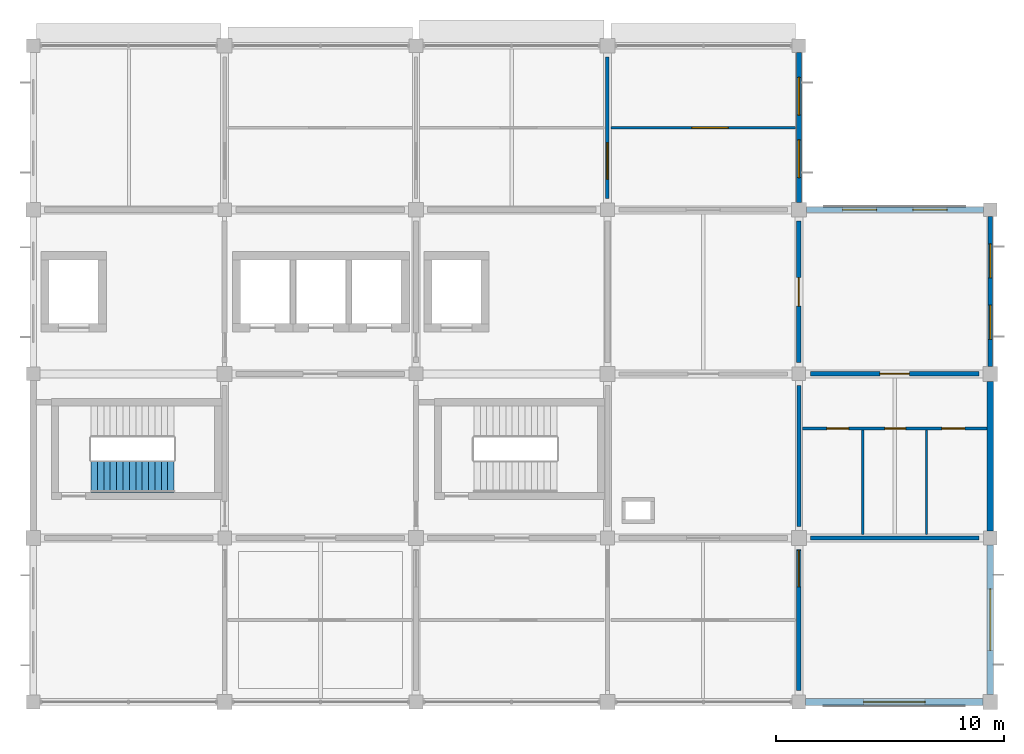
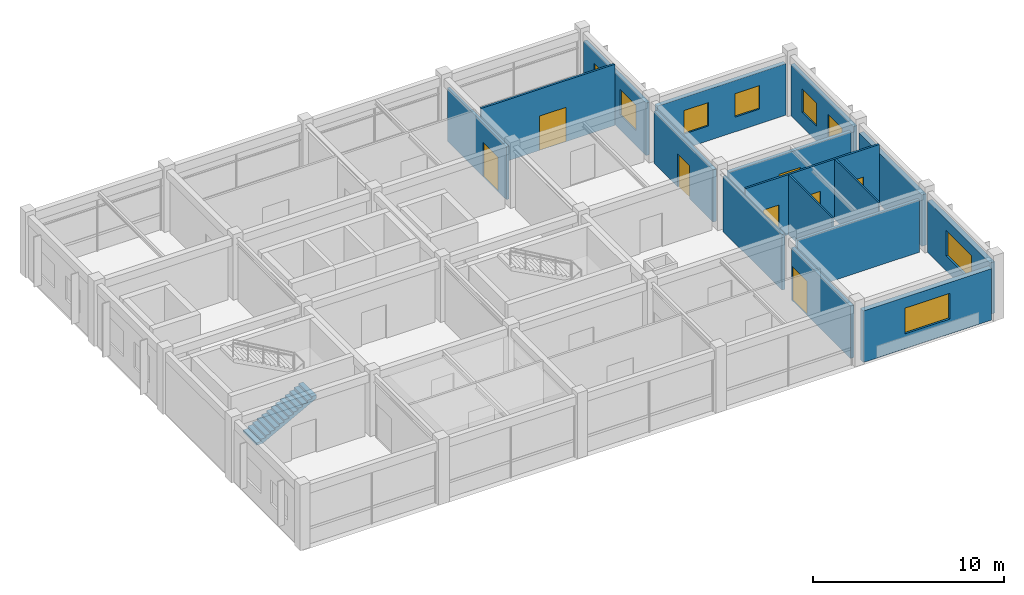
# One storey, part 10 of 13: 16 walls, 8 doors, 8 windows, 1 stair flight, 16 openings, 1 element without a shape of its own.
"""IFC4 building model written with IfcOpenShell, lengths in metres."""

from ifc_helpers import new_model, si_unit, derived_unit, direction, frame, frame_2d, origin, place, context, subcontext, project, spatial, polyline, rectangle, outline, extrude, material, layer, layer_set, type_object, element, fill, aggregate, save


model = new_model("IFC4")

# Units and contexts
model_context = context("Model", 3, precision=1e-05, world=origin(), true_north=direction((0.0, 1.0)))
body_context = subcontext(model_context, "Body", "Model", "MODEL_VIEW")
ifc_project = project(units=[si_unit("LENGTHUNIT", "METRE"), si_unit("AREAUNIT", "SQUARE_METRE"), si_unit("VOLUMEUNIT", "CUBIC_METRE"), si_unit("PLANEANGLEUNIT", "RADIAN"), si_unit("MASSUNIT", "GRAM", prefix="KILO"), derived_unit("THERMALTRANSMITTANCEUNIT", [(si_unit("MASSUNIT", "GRAM", prefix="KILO"), 1), (si_unit("TIMEUNIT", "SECOND"), -3), (si_unit("THERMODYNAMICTEMPERATUREUNIT", "KELVIN"), -1)])], contexts=[model_context])

# Site, building, storey
site_placement = place(None, origin())
site = spatial("IfcSite", under=ifc_project, at=site_placement, CompositionType="ELEMENT")
building_placement = place(site_placement, origin())
building = spatial("IfcBuilding", under=site, at=building_placement, Name="Veldstrom Oceanarium and Marine Research Institute", CompositionType="ELEMENT")
storey_placement = place(building_placement, frame((0.0, 0.0, 56.39990234375)))
storey = spatial("IfcBuildingStorey", under=building, at=storey_placement, Name="L12", CompositionType="ELEMENT", Elevation=56.39990234375)

# Wall, opening, window
ifc_material_1 = material(Name="Masonry Cavity Wall", Category="masonry")
ifc_layer_1 = layer(ifc_material_1, 0.31005859375)
ifc_layer_set_1 = layer_set([ifc_layer_1], Name="ARC-WAL-EW1")
wall_type_1 = type_object("IfcWallType", Name="ARC-WAL-EW1", PredefinedType="SOLIDWALL", material=ifc_layer_set_1)
wall_1_placement = place(storey_placement, frame((109.5, 43.199951171875, 0.0), z_axis=(0.0, 0.0, 1.0), x_axis=(1.0, 0.0, 0.0)))
wall_1 = element("IfcWall", 1, at=wall_1_placement, inside=storey, type_object=wall_type_1, Name="Exterior Facade Wall EW1 L12-246", PredefinedType="SOLIDWALL", context=body_context, shape_type="SweptSolid", body=[
    extrude(rectangle(XDim=7.77490234375, YDim=0.31005859375, at=frame_2d((3.887451171875, 0.0))), origin(), (0.0, 0.0, 1.0), 3.295166015625),
])
opening_1_placement = place(wall_1_placement, frame((2.53759765625, 0.0, 0.949951171875)))
opening_1 = element("IfcOpeningElement", 2, at=opening_1_placement, cuts=wall_1, Name="Opening W25", PredefinedType="OPENING", context=body_context, shape_type="SweptSolid", body=[
    extrude(rectangle(XDim=2.699951171875, YDim=1.64990234375, at=frame_2d((1.35009765625, 0.824951171875))), frame((0.0, 0.1650390625, 0.0), z_axis=(0.0, -1.0, 0.0), x_axis=(1.0, 0.0, 0.0)), (0.0, 0.0, 1.0), 0.330078125),
])
ifc_material_2 = material(Name="Double Glazed Low-E IGU", Category="glass")
window_type_1 = type_object("IfcWindowType", Name="ARC-WIN-W25", PartitioningType="SINGLE_PANEL", PredefinedType="WINDOW", material=ifc_material_2)
window_1_placement = place(opening_1_placement, origin())
window_1 = element("IfcWindow", 3, at=window_1_placement, inside=storey, type_object=window_type_1, Name="Facade Window W25 L12-0233", OverallHeight=1.64990234375, OverallWidth=2.699951171875, PartitioningType="SINGLE_PANEL", PredefinedType="WINDOW", context=body_context, shape_type="SweptSolid", body=[
    extrude(rectangle(XDim=2.699951171875, YDim=1.64990234375, at=frame_2d((1.35009765625, 0.824951171875))), frame((0.0, 0.030029296875, 0.0), z_axis=(0.0, -1.0, 0.0), x_axis=(1.0, 0.0, 0.0)), (0.0, 0.0, 1.0), 0.06005859375),
])
fill(opening_1, window_1)

ifc_material_3 = material(Name="Masonry Cavity Wall", Category="masonry")
ifc_layer_2 = layer(ifc_material_3, 0.2900390625)
ifc_layer_set_2 = layer_set([ifc_layer_2], Name="ARC-WAL-EW2")
wall_type_2 = type_object("IfcWallType", Name="ARC-WAL-EW2", PredefinedType="SOLIDWALL", material=ifc_layer_set_2)
wall_2_placement = place(storey_placement, frame((117.60009765625, 43.52490234375, 0.0), z_axis=(0.0, 0.0, 1.0), x_axis=(0.0, 1.0, 0.0)))
wall_2 = element("IfcWall", 4, at=wall_2_placement, inside=storey, type_object=wall_type_2, Name="Exterior Facade Wall EW2 L12-247", PredefinedType="SOLIDWALL", context=body_context, shape_type="SweptSolid", body=[
    extrude(rectangle(XDim=6.5751953125, YDim=0.2900390625, at=frame_2d((3.28759765625, 0.0))), origin(), (0.0, 0.0, 1.0), 3.295166015625),
])
opening_2_placement = place(wall_2_placement, frame((1.9375, 0.0, 0.949951171875)))
opening_2 = element("IfcOpeningElement", 5, at=opening_2_placement, cuts=wall_2, Name="Opening W25", PredefinedType="OPENING", context=body_context, shape_type="SweptSolid", body=[
    extrude(rectangle(XDim=2.699951171875, YDim=1.64990234375, at=frame_2d((1.35009765625, 0.824951171875))), frame((0.0, 0.155029296875, 0.0), z_axis=(0.0, -1.0, 0.0), x_axis=(1.0, 0.0, 0.0)), (0.0, 0.0, 1.0), 0.31005859375),
])
window_2_placement = place(opening_2_placement, origin())
window_2 = element("IfcWindow", 6, at=window_2_placement, inside=storey, type_object=window_type_1, Name="Facade Window W25 L12-0234", OverallHeight=1.64990234375, OverallWidth=2.699951171875, PartitioningType="SINGLE_PANEL", PredefinedType="WINDOW", context=body_context, shape_type="SweptSolid", body=[
    extrude(rectangle(XDim=2.699951171875, YDim=1.64990234375, at=frame_2d((1.35009765625, 0.824951171875))), frame((0.0, 0.030029296875, 0.0), z_axis=(0.0, -1.0, 0.0), x_axis=(1.0, 0.0, 0.0)), (0.0, 0.0, 1.0), 0.06005859375),
])
fill(opening_2, window_2)

# Wall
ifc_material_4 = material(Name="Masonry Cavity Wall", Category="masonry")
ifc_layer_3 = layer(ifc_material_4, 0.27001953125)
ifc_layer_set_3 = layer_set([ifc_layer_3], Name="ARC-WAL-EW3")
wall_type_3 = type_object("IfcWallType", Name="ARC-WAL-EW3", PredefinedType="SOLIDWALL", material=ifc_layer_set_3)
wall_3_placement = place(storey_placement, frame((117.60009765625, 50.699951171875, 0.0), z_axis=(0.0, 0.0, 1.0), x_axis=(0.0, 1.0, 0.0)))
element("IfcWall", 7, at=wall_3_placement, inside=storey, type_object=wall_type_3, Name="Exterior Facade Wall EW3 L12-248", PredefinedType="SOLIDWALL", context=body_context, shape_type="SweptSolid", body=[
    extrude(rectangle(XDim=6.574951171875, YDim=0.27001953125, at=frame_2d((3.28759765625, 0.0))), origin(), (0.0, 0.0, 1.0), 3.295166015625),
])

# Wall, openings, windows
ifc_material_5 = material(Name="Masonry Cavity Wall", Category="masonry")
ifc_layer_4 = layer(ifc_material_5, 0.25)
ifc_layer_set_4 = layer_set([ifc_layer_4], Name="ARC-WAL-EW5")
wall_type_4 = type_object("IfcWallType", Name="ARC-WAL-EW5", PredefinedType="SOLIDWALL", material=ifc_layer_set_4)
wall_4_placement = place(storey_placement, frame((109.52490234375, 64.800048828125, 0.0), z_axis=(0.0, 0.0, 1.0), x_axis=(1.0, 0.0, 0.0)))
wall_4 = element("IfcWall", 8, at=wall_4_placement, inside=storey, type_object=wall_type_4, Name="Exterior Facade Wall EW5 L12-249", PredefinedType="SOLIDWALL", context=body_context, shape_type="SweptSolid", body=[
    extrude(rectangle(XDim=7.775146484375, YDim=0.25, at=frame_2d((3.8876953125, 0.0))), origin(), (0.0, 0.0, 1.0), 3.295166015625),
])
opening_3_placement = place(wall_4_placement, frame((1.591796875, 0.0, 0.949951171875)))
opening_3 = element("IfcOpeningElement", 9, at=opening_3_placement, cuts=wall_4, Name="Opening W15", PredefinedType="OPENING", context=body_context, shape_type="SweptSolid", body=[
    extrude(rectangle(XDim=1.5, YDim=1.5, at=frame_2d((0.75, 0.75))), frame((0.0, 0.135009765625, 0.0), z_axis=(0.0, -1.0, 0.0), x_axis=(1.0, 0.0, 0.0)), (0.0, 0.0, 1.0), 0.27001953125),
])
opening_4_placement = place(wall_4_placement, frame((4.683349609375, 0.0, 0.949951171875)))
opening_4 = element("IfcOpeningElement", 10, at=opening_4_placement, cuts=wall_4, Name="Opening W15", PredefinedType="OPENING", context=body_context, shape_type="SweptSolid", body=[
    extrude(rectangle(XDim=1.5, YDim=1.5, at=frame_2d((0.75, 0.75))), frame((0.0, 0.135009765625, 0.0), z_axis=(0.0, -1.0, 0.0), x_axis=(1.0, 0.0, 0.0)), (0.0, 0.0, 1.0), 0.27001953125),
])
ifc_material_6 = material(Name="Double Glazed Low-E IGU", Category="glass")
window_type_2 = type_object("IfcWindowType", Name="ARC-WIN-W15", PartitioningType="SINGLE_PANEL", PredefinedType="WINDOW", material=ifc_material_6)
window_3_placement = place(opening_3_placement, origin())
window_3 = element("IfcWindow", 11, at=window_3_placement, inside=storey, type_object=window_type_2, Name="Facade Window W15 L12-0235", OverallHeight=1.5, OverallWidth=1.5, PartitioningType="SINGLE_PANEL", PredefinedType="WINDOW", context=body_context, shape_type="SweptSolid", body=[
    extrude(rectangle(XDim=1.5, YDim=1.5, at=frame_2d((0.75, 0.75))), frame((0.0, 0.030029296875, 0.0), z_axis=(0.0, -1.0, 0.0), x_axis=(1.0, 0.0, 0.0)), (0.0, 0.0, 1.0), 0.06005859375),
])
fill(opening_3, window_3)
window_4_placement = place(opening_4_placement, origin())
window_4 = element("IfcWindow", 12, at=window_4_placement, inside=storey, type_object=window_type_2, Name="Facade Window W15 L12-0236", OverallHeight=1.5, OverallWidth=1.5, PartitioningType="SINGLE_PANEL", PredefinedType="WINDOW", context=body_context, shape_type="SweptSolid", body=[
    extrude(rectangle(XDim=1.5, YDim=1.5, at=frame_2d((0.75, 0.75))), frame((0.0, 0.030029296875, 0.0), z_axis=(0.0, -1.0, 0.0), x_axis=(1.0, 0.0, 0.0)), (0.0, 0.0, 1.0), 0.06005859375),
])
fill(opening_4, window_4)

ifc_material_7 = material(Name="Masonry Cavity Wall", Category="masonry")
ifc_layer_5 = layer(ifc_material_7, 0.215087890625)
ifc_layer_set_5 = layer_set([ifc_layer_5], Name="ARC-WAL-EW6")
wall_type_5 = type_object("IfcWallType", Name="ARC-WAL-EW6", PredefinedType="SOLIDWALL", material=ifc_layer_set_5)
wall_5_placement = place(storey_placement, frame((109.199951171875, 65.125, 0.0), z_axis=(0.0, 0.0, 1.0), x_axis=(0.0, 1.0, 0.0)))
wall_5 = element("IfcWall", 13, at=wall_5_placement, inside=storey, type_object=wall_type_5, Name="Exterior Facade Wall EW6 L12-245", PredefinedType="SOLIDWALL", context=body_context, shape_type="SweptSolid", body=[
    extrude(rectangle(XDim=6.574951171875, YDim=0.215087890625, at=frame_2d((3.28759765625, 0.0))), origin(), (0.0, 0.0, 1.0), 3.364990234375),
])
opening_5_placement = place(wall_5_placement, frame((1.091796875, 0.0, 0.949951171875)))
opening_5 = element("IfcOpeningElement", 14, at=opening_5_placement, cuts=wall_5, Name="Opening W23", PredefinedType="OPENING", context=body_context, shape_type="SweptSolid", body=[
    extrude(rectangle(XDim=1.64990234375, YDim=1.64990234375, at=frame_2d((0.824951171875, 0.824951171875))), frame((0.0, 0.117431640625, 0.0), z_axis=(0.0, -1.0, 0.0), x_axis=(1.0, 0.0, 0.0)), (0.0, 0.0, 1.0), 0.235107421875),
])
opening_6_placement = place(wall_5_placement, frame((3.833251953125, 0.0, 0.949951171875)))
opening_6 = element("IfcOpeningElement", 15, at=opening_6_placement, cuts=wall_5, Name="Opening W23", PredefinedType="OPENING", context=body_context, shape_type="SweptSolid", body=[
    extrude(rectangle(XDim=1.64990234375, YDim=1.64990234375, at=frame_2d((0.824951171875, 0.824951171875))), frame((0.0, 0.117431640625, 0.0), z_axis=(0.0, -1.0, 0.0), x_axis=(1.0, 0.0, 0.0)), (0.0, 0.0, 1.0), 0.235107421875),
])
ifc_material_8 = material(Name="Double Glazed Low-E IGU", Category="glass")
window_type_3 = type_object("IfcWindowType", Name="ARC-WIN-W23", PartitioningType="SINGLE_PANEL", PredefinedType="WINDOW", material=ifc_material_8)
window_5_placement = place(opening_5_placement, origin())
window_5 = element("IfcWindow", 16, at=window_5_placement, inside=storey, type_object=window_type_3, Name="Facade Window W23 L12-0231", OverallHeight=1.64990234375, OverallWidth=1.64990234375, PartitioningType="SINGLE_PANEL", PredefinedType="WINDOW", context=body_context, shape_type="SweptSolid", body=[
    extrude(rectangle(XDim=1.64990234375, YDim=1.64990234375, at=frame_2d((0.824951171875, 0.824951171875))), frame((0.0, 0.030029296875, 0.0), z_axis=(0.0, -1.0, 0.0), x_axis=(1.0, 0.0, 0.0)), (0.0, 0.0, 1.0), 0.06005859375),
])
fill(opening_5, window_5)
window_6_placement = place(opening_6_placement, origin())
window_6 = element("IfcWindow", 17, at=window_6_placement, inside=storey, type_object=window_type_3, Name="Facade Window W23 L12-0232", OverallHeight=1.64990234375, OverallWidth=1.64990234375, PartitioningType="SINGLE_PANEL", PredefinedType="WINDOW", context=body_context, shape_type="SweptSolid", body=[
    extrude(rectangle(XDim=1.64990234375, YDim=1.64990234375, at=frame_2d((0.824951171875, 0.824951171875))), frame((0.0, 0.030029296875, 0.0), z_axis=(0.0, -1.0, 0.0), x_axis=(1.0, 0.0, 0.0)), (0.0, 0.0, 1.0), 0.06005859375),
])
fill(opening_6, window_6)

wall_6_placement = place(storey_placement, frame((117.60009765625, 57.925048828125, 0.0), z_axis=(0.0, 0.0, 1.0), x_axis=(0.0, 1.0, 0.0)))
wall_6 = element("IfcWall", 18, at=wall_6_placement, inside=storey, type_object=wall_type_5, Name="Exterior Facade Wall EW6 L12-250", PredefinedType="SOLIDWALL", context=body_context, shape_type="SweptSolid", body=[
    extrude(rectangle(XDim=6.574951171875, YDim=0.215087890625, at=frame_2d((3.28759765625, 0.0))), origin(), (0.0, 0.0, 1.0), 3.295166015625),
])
opening_7_placement = place(wall_6_placement, frame((1.191650390625, 0.0, 0.949951171875)))
opening_7 = element("IfcOpeningElement", 19, at=opening_7_placement, cuts=wall_6, Name="Opening W15", PredefinedType="OPENING", context=body_context, shape_type="SweptSolid", body=[
    extrude(rectangle(XDim=1.5, YDim=1.5, at=frame_2d((0.75, 0.75))), frame((0.0, 0.117431640625, 0.0), z_axis=(0.0, -1.0, 0.0), x_axis=(1.0, 0.0, 0.0)), (0.0, 0.0, 1.0), 0.235107421875),
])
opening_8_placement = place(wall_6_placement, frame((3.88330078125, 0.0, 0.949951171875)))
opening_8 = element("IfcOpeningElement", 20, at=opening_8_placement, cuts=wall_6, Name="Opening W15", PredefinedType="OPENING", context=body_context, shape_type="SweptSolid", body=[
    extrude(rectangle(XDim=1.5, YDim=1.5, at=frame_2d((0.75, 0.75))), frame((0.0, 0.117431640625, 0.0), z_axis=(0.0, -1.0, 0.0), x_axis=(1.0, 0.0, 0.0)), (0.0, 0.0, 1.0), 0.235107421875),
])
window_7_placement = place(opening_7_placement, origin())
window_7 = element("IfcWindow", 21, at=window_7_placement, inside=storey, type_object=window_type_2, Name="Facade Window W15 L12-0237", OverallHeight=1.5, OverallWidth=1.5, PartitioningType="SINGLE_PANEL", PredefinedType="WINDOW", context=body_context, shape_type="SweptSolid", body=[
    extrude(rectangle(XDim=1.5, YDim=1.5, at=frame_2d((0.75, 0.75))), frame((0.0, 0.030029296875, 0.0), z_axis=(0.0, -1.0, 0.0), x_axis=(1.0, 0.0, 0.0)), (0.0, 0.0, 1.0), 0.06005859375),
])
fill(opening_7, window_7)
window_8_placement = place(opening_8_placement, origin())
window_8 = element("IfcWindow", 22, at=window_8_placement, inside=storey, type_object=window_type_2, Name="Facade Window W15 L12-0238", OverallHeight=1.5, OverallWidth=1.5, PartitioningType="SINGLE_PANEL", PredefinedType="WINDOW", context=body_context, shape_type="SweptSolid", body=[
    extrude(rectangle(XDim=1.5, YDim=1.5, at=frame_2d((0.75, 0.75))), frame((0.0, 0.030029296875, 0.0), z_axis=(0.0, -1.0, 0.0), x_axis=(1.0, 0.0, 0.0)), (0.0, 0.0, 1.0), 0.06005859375),
])
fill(opening_8, window_8)

# Wall, opening, door
ifc_material_9 = material(Name="Gypsum Acoustic Lab Partition", Category="gypsum")
ifc_layer_6 = layer(ifc_material_9, 0.1201171875)
ifc_layer_set_6 = layer_set([ifc_layer_6], Name="ARC-WAL-PT10")
wall_type_6 = type_object("IfcWallType", Name="ARC-WAL-PT10", PredefinedType="PARTITIONING", material=ifc_layer_set_6)
wall_7_placement = place(storey_placement, frame((100.949951171875, 68.39990234375, 0.0), z_axis=(0.0, 0.0, 1.0), x_axis=(1.0, 0.0, 0.0)))
wall_7 = element("IfcWall", 23, at=wall_7_placement, inside=storey, type_object=wall_type_6, Name="Laboratory Suite Partition L12-12/9", PredefinedType="PARTITIONING", context=body_context, shape_type="SweptSolid", body=[
    extrude(rectangle(XDim=8.10009765625, YDim=0.1201171875, at=frame_2d((4.050048828125, 0.0))), origin(), (0.0, 0.0, 1.0), 3.920166015625),
])
opening_9_placement = place(wall_7_placement, frame((3.550048828125, 0.0, 0.0)))
opening_9 = element("IfcOpeningElement", 24, at=opening_9_placement, cuts=wall_7, Name="Opening D-L12-S1051", PredefinedType="OPENING", context=body_context, shape_type="SweptSolid", body=[
    extrude(rectangle(XDim=1.60009765625, YDim=2.199951171875, at=frame_2d((0.800048828125, 1.10009765625))), frame((0.0, 0.070068359375, 0.0), z_axis=(0.0, -1.0, 0.0), x_axis=(1.0, 0.0, 0.0)), (0.0, 0.0, 1.0), 0.14013671875),
])
ifc_material_10 = material(Name="Acoustic Timber Corridor Door", Category="wood")
door_type_1 = type_object("IfcDoorType", Name="ARC-DOR-ID02", OperationType="DOUBLE_DOOR_SINGLE_SWING", PredefinedType="DOOR", material=ifc_material_10)
door_1_placement = place(opening_9_placement, origin())
door_1 = element("IfcDoor", 25, at=door_1_placement, inside=storey, type_object=door_type_1, Name="Suite Interior Door D-L12-S1051", OperationType="SINGLE_SWING_LEFT", OverallHeight=2.199951171875, OverallWidth=1.60009765625, PredefinedType="DOOR", context=body_context, shape_type="SweptSolid", body=[
    extrude(rectangle(XDim=1.60009765625, YDim=2.199951171875, at=frame_2d((0.800048828125, 1.10009765625))), frame((0.0, 0.02490234375, 0.0), z_axis=(0.0, -1.0, 0.0), x_axis=(1.0, 0.0, 0.0)), (0.0, 0.0, 1.0), 0.050048828125),
])
fill(opening_9, door_1)

ifc_material_11 = material(Name="Masonry Acoustic Lab Partition", Category="masonry")
ifc_layer_7 = layer(ifc_material_11, 0.205078125)
ifc_layer_set_7 = layer_set([ifc_layer_7], Name="ARC-WAL-PT2")
wall_type_7 = type_object("IfcWallType", Name="ARC-WAL-PT2", PredefinedType="PARTITIONING", material=ifc_layer_set_7)
wall_8_placement = place(storey_placement, frame((109.199951171875, 43.699951171875, 0.0), z_axis=(0.0, 0.0, 1.0), x_axis=(0.0, 1.0, 0.0)))
wall_8 = element("IfcWall", 26, at=wall_8_placement, inside=storey, type_object=wall_type_7, Name="Interior Partition PT2 L12-1730", PredefinedType="PARTITIONING", context=body_context, shape_type="SweptSolid", body=[
    extrude(rectangle(XDim=6.199951171875, YDim=0.205078125, at=frame_2d((3.10009765625, 0.0))), origin(), (0.0, 0.0, 1.0), 3.34521484375),
])
opening_10_placement = place(wall_8_placement, frame((4.550048828125, 0.0, 0.0)))
opening_10 = element("IfcOpeningElement", 27, at=opening_10_placement, cuts=wall_8, Name="Opening D-L12-1066", PredefinedType="OPENING", context=body_context, shape_type="SweptSolid", body=[
    extrude(rectangle(XDim=1.60009765625, YDim=2.199951171875, at=frame_2d((0.800048828125, 1.10009765625))), frame((0.0, 0.112548828125, 0.0), z_axis=(0.0, -1.0, 0.0), x_axis=(1.0, 0.0, 0.0)), (0.0, 0.0, 1.0), 0.22509765625),
])
door_2_placement = place(opening_10_placement, frame((1.60009765625, 0.0, 0.0), z_axis=(0.0, 0.0, 1.0), x_axis=(-1.0, 0.0, 0.0)))
door_2 = element("IfcDoor", 28, at=door_2_placement, inside=storey, type_object=door_type_1, Name="Interior Door D-L12-1066", OperationType="DOUBLE_DOOR_SINGLE_SWING", OverallHeight=2.199951171875, OverallWidth=1.60009765625, PredefinedType="DOOR", context=body_context, shape_type="SweptSolid", body=[
    extrude(rectangle(XDim=1.60009765625, YDim=2.199951171875, at=frame_2d((0.800048828125, 1.10009765625))), frame((0.0, 0.02490234375, 0.0), z_axis=(0.0, -1.0, 0.0), x_axis=(1.0, 0.0, 0.0)), (0.0, 0.0, 1.0), 0.050048828125),
])
fill(opening_10, door_2)

wall_9_placement = place(storey_placement, frame((109.199951171875, 58.10009765625, 0.0), z_axis=(0.0, 0.0, 1.0), x_axis=(0.0, 1.0, 0.0)))
wall_9 = element("IfcWall", 29, at=wall_9_placement, inside=storey, type_object=wall_type_7, Name="Interior Partition PT2 L12-1734", PredefinedType="PARTITIONING", context=body_context, shape_type="SweptSolid", body=[
    extrude(rectangle(XDim=6.199951171875, YDim=0.205078125, at=frame_2d((3.10009765625, 0.0))), origin(), (0.0, 0.0, 1.0), 3.34521484375),
])
opening_11_placement = place(wall_9_placement, frame((2.47509765625, 0.0, 0.0)))
opening_11 = element("IfcOpeningElement", 30, at=opening_11_placement, cuts=wall_9, Name="Opening D-L12-1069", PredefinedType="OPENING", context=body_context, shape_type="SweptSolid", body=[
    extrude(rectangle(XDim=1.25, YDim=2.10009765625, at=frame_2d((0.625, 1.050048828125))), frame((0.0, 0.112548828125, 0.0), z_axis=(0.0, -1.0, 0.0), x_axis=(1.0, 0.0, 0.0)), (0.0, 0.0, 1.0), 0.22509765625),
])
ifc_material_12 = material(Name="Specimen Prep Door", Category="timber")
door_type_2 = type_object("IfcDoorType", Name="ARC-DOR-ID16", OperationType="SINGLE_SWING_RIGHT", PredefinedType="DOOR", material=ifc_material_12)
door_3_placement = place(opening_11_placement, frame((1.25, 0.0, 0.0), z_axis=(0.0, 0.0, 1.0), x_axis=(-1.0, 0.0, 0.0)))
door_3 = element("IfcDoor", 31, at=door_3_placement, inside=storey, type_object=door_type_2, Name="Interior Door D-L12-1069", OperationType="SINGLE_SWING_RIGHT", OverallHeight=2.10009765625, OverallWidth=1.25, PredefinedType="DOOR", context=body_context, shape_type="SweptSolid", body=[
    extrude(rectangle(XDim=1.25, YDim=2.10009765625, at=frame_2d((0.625, 1.050048828125))), frame((0.0, 0.02490234375, 0.0), z_axis=(0.0, -1.0, 0.0), x_axis=(1.0, 0.0, 0.0)), (0.0, 0.0, 1.0), 0.050048828125),
])
fill(opening_11, door_3)

wall_10_placement = place(storey_placement, frame((109.699951171875, 57.60009765625, 0.0), z_axis=(0.0, 0.0, 1.0), x_axis=(1.0, 0.0, 0.0)))
wall_10 = element("IfcWall", 32, at=wall_10_placement, inside=storey, type_object=wall_type_7, Name="Interior Partition PT2 L12-1737", PredefinedType="PARTITIONING", context=body_context, shape_type="SweptSolid", body=[
    extrude(rectangle(XDim=7.400146484375, YDim=0.205078125, at=frame_2d((3.7001953125, 0.0))), origin(), (0.0, 0.0, 1.0), 3.34521484375),
])
opening_12_placement = place(wall_10_placement, frame((3.050048828125, 0.0, 0.0)))
opening_12 = element("IfcOpeningElement", 33, at=opening_12_placement, cuts=wall_10, Name="Opening D-L12-1071", PredefinedType="OPENING", context=body_context, shape_type="SweptSolid", body=[
    extrude(rectangle(XDim=1.300048828125, YDim=2.14990234375, at=frame_2d((0.64990234375, 1.074951171875))), frame((0.0, 0.112548828125, 0.0), z_axis=(0.0, -1.0, 0.0), x_axis=(1.0, 0.0, 0.0)), (0.0, 0.0, 1.0), 0.22509765625),
])
ifc_material_13 = material(Name="Wet Lab Leaf-and-Half Door", Category="timber")
door_type_3 = type_object("IfcDoorType", Name="ARC-DOR-ID05", OperationType="SINGLE_SWING_LEFT", PredefinedType="DOOR", material=ifc_material_13)
door_4_placement = place(opening_12_placement, frame((1.300048828125, 0.0, 0.0), z_axis=(0.0, 0.0, 1.0), x_axis=(-1.0, 0.0, 0.0)))
door_4 = element("IfcDoor", 34, at=door_4_placement, inside=storey, type_object=door_type_3, Name="Interior Door D-L12-1071", OperationType="SINGLE_SWING_RIGHT", OverallHeight=2.14990234375, OverallWidth=1.300048828125, PredefinedType="DOOR", context=body_context, shape_type="SweptSolid", body=[
    extrude(rectangle(XDim=1.300048828125, YDim=2.14990234375, at=frame_2d((0.64990234375, 1.074951171875))), frame((0.0, 0.02490234375, 0.0), z_axis=(0.0, -1.0, 0.0), x_axis=(1.0, 0.0, 0.0)), (0.0, 0.0, 1.0), 0.050048828125),
])
fill(opening_12, door_4)

# Walls
ifc_material_14 = material(Name="Drywall Acoustic Partition", Category="gypsum")
ifc_layer_8 = layer(ifc_material_14, 0.175048828125)
ifc_layer_set_8 = layer_set([ifc_layer_8], Name="ARC-WAL-PT3")
wall_type_8 = type_object("IfcWallType", Name="ARC-WAL-PT3", PredefinedType="PARTITIONING", material=ifc_layer_set_8)
wall_11_placement = place(storey_placement, frame((109.199951171875, 50.89990234375, 0.0), z_axis=(0.0, 0.0, 1.0), x_axis=(0.0, 1.0, 0.0)))
element("IfcWall", 35, at=wall_11_placement, inside=storey, type_object=wall_type_8, Name="Interior Partition PT3 L12-1732", PredefinedType="PARTITIONING", context=body_context, shape_type="SweptSolid", body=[
    extrude(rectangle(XDim=6.2001953125, YDim=0.175048828125, at=frame_2d((3.10009765625, 0.0))), origin(), (0.0, 0.0, 1.0), 3.55517578125),
])
wall_12_placement = place(storey_placement, frame((109.699951171875, 50.39990234375, 0.0), z_axis=(0.0, 0.0, 1.0), x_axis=(1.0, 0.0, 0.0)))
element("IfcWall", 36, at=wall_12_placement, inside=storey, type_object=wall_type_8, Name="Interior Partition PT3 L12-1736", PredefinedType="PARTITIONING", context=body_context, shape_type="SweptSolid", body=[
    extrude(rectangle(XDim=7.400146484375, YDim=0.175048828125, at=frame_2d((3.7001953125, 0.0))), origin(), (0.0, 0.0, 1.0), 3.34521484375),
])

# Wall, opening, door
ifc_material_15 = material(Name="Drywall Corridor Partition", Category="gypsum")
ifc_layer_9 = layer(ifc_material_15, 0.155029296875)
ifc_layer_set_9 = layer_set([ifc_layer_9], Name="ARC-WAL-PT4")
wall_type_9 = type_object("IfcWallType", Name="ARC-WAL-PT4", PredefinedType="PARTITIONING", material=ifc_layer_set_9)
wall_13_placement = place(storey_placement, frame((100.800048828125, 65.300048828125, 0.0), z_axis=(0.0, 0.0, 1.0), x_axis=(0.0, 1.0, 0.0)))
wall_13 = element("IfcWall", 37, at=wall_13_placement, inside=storey, type_object=wall_type_9, Name="Interior Partition PT4 L12-1729", PredefinedType="PARTITIONING", context=body_context, shape_type="SweptSolid", body=[
    extrude(rectangle(XDim=6.199951171875, YDim=0.155029296875, at=frame_2d((3.10009765625, 0.0))), origin(), (0.0, 0.0, 1.0), 3.4150390625),
])
opening_13_placement = place(wall_13_placement, frame((0.85009765625, 0.0, 0.0)))
opening_13 = element("IfcOpeningElement", 38, at=opening_13_placement, cuts=wall_13, Name="Opening D-L12-1065", PredefinedType="OPENING", context=body_context, shape_type="SweptSolid", body=[
    extrude(rectangle(XDim=1.60009765625, YDim=2.199951171875, at=frame_2d((0.800048828125, 1.10009765625))), frame((0.0, 0.08740234375, 0.0), z_axis=(0.0, -1.0, 0.0), x_axis=(1.0, 0.0, 0.0)), (0.0, 0.0, 1.0), 0.175048828125),
])
door_5_placement = place(opening_13_placement, frame((1.60009765625, 0.0, 0.0), z_axis=(0.0, 0.0, 1.0), x_axis=(-1.0, 0.0, 0.0)))
door_5 = element("IfcDoor", 39, at=door_5_placement, inside=storey, type_object=door_type_1, Name="Interior Door D-L12-1065", OperationType="DOUBLE_DOOR_SINGLE_SWING", OverallHeight=2.199951171875, OverallWidth=1.60009765625, PredefinedType="DOOR", context=body_context, shape_type="SweptSolid", body=[
    extrude(rectangle(XDim=1.60009765625, YDim=2.199951171875, at=frame_2d((0.800048828125, 1.10009765625))), frame((0.0, 0.02490234375, 0.0), z_axis=(0.0, -1.0, 0.0), x_axis=(1.0, 0.0, 0.0)), (0.0, 0.0, 1.0), 0.050048828125),
])
fill(opening_13, door_5)

# Wall, openings, doors
ifc_material_16 = material(Name="Lightweight Studio Partition", Category="gypsum")
ifc_layer_10 = layer(ifc_material_16, 0.1201171875)
ifc_layer_set_10 = layer_set([ifc_layer_10], Name="ARC-WAL-PT6")
wall_type_10 = type_object("IfcWallType", Name="ARC-WAL-PT6", PredefinedType="PARTITIONING", material=ifc_layer_set_10)
wall_14_placement = place(storey_placement, frame((109.35009765625, 55.199951171875, 0.0), z_axis=(0.0, 0.0, 1.0), x_axis=(1.0, 0.0, 0.0)))
wall_14 = element("IfcWall", 40, at=wall_14_placement, inside=storey, type_object=wall_type_10, Name="Sanitary Vestibule Partition L12-13", PredefinedType="PARTITIONING", context=body_context, shape_type="SweptSolid", body=[
    extrude(rectangle(XDim=8.099853515625, YDim=0.1201171875, at=frame_2d((4.0498046875, 0.0))), origin(), (0.0, 0.0, 1.0), 3.85009765625),
])
opening_14_placement = place(wall_14_placement, frame((1.080078125, 0.0, 0.0)))
opening_14 = element("IfcOpeningElement", 41, at=opening_14_placement, cuts=wall_14, Name="Opening D-L12-WC1043", PredefinedType="OPENING", context=body_context, shape_type="SweptSolid", body=[
    extrude(rectangle(XDim=0.949951171875, YDim=2.10009765625, at=frame_2d((0.47509765625, 1.050048828125))), frame((0.0, 0.070068359375, 0.0), z_axis=(0.0, -1.0, 0.0), x_axis=(1.0, 0.0, 0.0)), (0.0, 0.0, 1.0), 0.14013671875),
])
opening_15_placement = place(wall_14_placement, frame((3.6298828125, 0.0, 0.0)))
opening_15 = element("IfcOpeningElement", 42, at=opening_15_placement, cuts=wall_14, Name="Opening D-L12-WC1044", PredefinedType="OPENING", context=body_context, shape_type="SweptSolid", body=[
    extrude(rectangle(XDim=0.89990234375, YDim=2.10009765625, at=frame_2d((0.449951171875, 1.050048828125))), frame((0.0, 0.070068359375, 0.0), z_axis=(0.0, -1.0, 0.0), x_axis=(1.0, 0.0, 0.0)), (0.0, 0.0, 1.0), 0.14013671875),
])
opening_16_placement = place(wall_14_placement, frame((6.1298828125, 0.0, 0.0)))
opening_16 = element("IfcOpeningElement", 43, at=opening_16_placement, cuts=wall_14, Name="Opening D-L12-WC1045", PredefinedType="OPENING", context=body_context, shape_type="SweptSolid", body=[
    extrude(rectangle(XDim=1.0, YDim=2.10009765625, at=frame_2d((0.5, 1.050048828125))), frame((0.0, 0.070068359375, 0.0), z_axis=(0.0, -1.0, 0.0), x_axis=(1.0, 0.0, 0.0)), (0.0, 0.0, 1.0), 0.14013671875),
])
ifc_material_17 = material(Name="Accessible Sanitary Door", Category="timber")
door_type_4 = type_object("IfcDoorType", Name="ARC-DOR-ID08", OperationType="SINGLE_SWING_RIGHT", PredefinedType="DOOR", material=ifc_material_17)
door_6_placement = place(opening_16_placement, frame((1.0, 0.0, 0.0), z_axis=(0.0, 0.0, 1.0), x_axis=(-1.0, 0.0, 0.0)))
door_6 = element("IfcDoor", 44, at=door_6_placement, inside=storey, type_object=door_type_4, Name="Accessible WC Door D-L12-WC1045", OperationType="SINGLE_SWING_RIGHT", OverallHeight=2.10009765625, OverallWidth=1.0, PredefinedType="DOOR", context=body_context, shape_type="SweptSolid", body=[
    extrude(rectangle(XDim=1.0, YDim=2.10009765625, at=frame_2d((0.5, 1.050048828125))), frame((0.0, 0.02490234375, 0.0), z_axis=(0.0, -1.0, 0.0), x_axis=(1.0, 0.0, 0.0)), (0.0, 0.0, 1.0), 0.050048828125),
])
fill(opening_16, door_6)
ifc_material_18 = material(Name="Staff Sanitary Door", Category="timber")
door_type_5 = type_object("IfcDoorType", Name="ARC-DOR-ID09", OperationType="SINGLE_SWING_LEFT", PredefinedType="DOOR", material=ifc_material_18)
door_7_placement = place(opening_14_placement, frame((0.949951171875, 0.0, 0.0), z_axis=(0.0, 0.0, 1.0), x_axis=(-1.0, 0.0, 0.0)))
door_7 = element("IfcDoor", 45, at=door_7_placement, inside=storey, type_object=door_type_5, Name="Male WC Door D-L12-WC1043", OperationType="SINGLE_SWING_RIGHT", OverallHeight=2.10009765625, OverallWidth=0.949951171875, PredefinedType="DOOR", context=body_context, shape_type="SweptSolid", body=[
    extrude(rectangle(XDim=0.949951171875, YDim=2.10009765625, at=frame_2d((0.47509765625, 1.050048828125))), frame((0.0, 0.02490234375, 0.0), z_axis=(0.0, -1.0, 0.0), x_axis=(1.0, 0.0, 0.0)), (0.0, 0.0, 1.0), 0.050048828125),
])
fill(opening_14, door_7)
ifc_material_19 = material(Name="Internal Sanitary Door", Category="timber")
door_type_6 = type_object("IfcDoorType", Name="ARC-DOR-ID10", OperationType="SINGLE_SWING_RIGHT", PredefinedType="DOOR", material=ifc_material_19)
door_8_placement = place(opening_15_placement, frame((0.89990234375, 0.0, 0.0), z_axis=(0.0, 0.0, 1.0), x_axis=(-1.0, 0.0, 0.0)))
door_8 = element("IfcDoor", 46, at=door_8_placement, inside=storey, type_object=door_type_6, Name="Female WC Door D-L12-WC1044", OperationType="SINGLE_SWING_LEFT", OverallHeight=2.10009765625, OverallWidth=0.89990234375, PredefinedType="DOOR", context=body_context, shape_type="SweptSolid", body=[
    extrude(rectangle(XDim=0.89990234375, YDim=2.10009765625, at=frame_2d((0.449951171875, 1.050048828125))), frame((0.0, 0.02490234375, 0.0), z_axis=(0.0, -1.0, 0.0), x_axis=(1.0, 0.0, 0.0)), (0.0, 0.0, 1.0), 0.050048828125),
])
fill(opening_15, door_8)

# Walls
ifc_material_20 = material(Name="Sanitary Cubicle Partition", Category="gypsum")
ifc_layer_11 = layer(ifc_material_20, 0.10009765625)
ifc_layer_set_11 = layer_set([ifc_layer_11], Name="ARC-WAL-PT7")
wall_type_11 = type_object("IfcWallType", Name="ARC-WAL-PT7", PredefinedType="PARTITIONING", material=ifc_layer_set_11)
for number, where, z_axis, x_axis, name in (
    (47, (112.0, 50.550048828125, 0.0), (0.0, 0.0, 1.0), (0.0, 1.0, 0.0), "Sanitary Stall Divider Wall L12-1701"),
    (48, (114.800048828125, 50.550048828125, 0.0), (0.0, 0.0, 1.0), (0.0, 1.0, 0.0), "Sanitary Stall Divider Wall L12-1702"),
):
    element("IfcWall", number, at=place(storey_placement, frame(where, z_axis=z_axis, x_axis=x_axis)), inside=storey, type_object=wall_type_11, Name=name, PredefinedType="PARTITIONING", context=body_context, shape_type="SweptSolid", body=[
        extrude(rectangle(XDim=4.58984375, YDim=0.10009765625, at=frame_2d((2.294921875, 0.0))), origin(), (0.0, 0.0, 1.0), 3.85009765625),
    ])

# Stair, stair flight
ifc_material_21 = material(Name="Concrete C40/50", Category="concrete")
stair_type = type_object("IfcStairType", Name="ARC-STR-ST-420", PredefinedType="TWO_STRAIGHT_RUN_STAIR", material=ifc_material_21)
stair_placement = place(storey_placement, origin())
stair = element("IfcStair", 49, at=stair_placement, inside=storey, type_object=stair_type, Name="Dog-Leg Escape Stair ST1-L12", PredefinedType="TWO_STRAIGHT_RUN_STAIR")
ifc_material_22 = material(Name="Concrete C40/50", Category="concrete")
stair_flight_type = type_object("IfcStairFlightType", Name="ARC-STF-ST-420", PredefinedType="STRAIGHT", material=ifc_material_22)
stair_flight_placement = place(storey_placement, frame((78.139892578125, 53.10009765625, 0.0), z_axis=(0.0, 0.0, 1.0), x_axis=(1.0, 0.0, 0.0)))
stair_flight = element("IfcStairFlight", 50, at=stair_flight_placement, type_object=stair_flight_type, Name="Stair Flight ST1-L12-1", NumberOfRisers=14, NumberOfTreads=13, PredefinedType="STRAIGHT", RiserHeight=0.15, TreadLength=0.28, context=body_context, shape_type="SweptSolid", body=[
    extrude(outline(polyline([(0.0, 0.0), (0.0, 0.14990234375), (0.280029296875, 0.14990234375), (0.280029296875, 0.300048828125), (0.56005859375, 0.300048828125), (0.56005859375, 0.449951171875), (0.840087890625, 0.449951171875), (0.840087890625, 0.60009765625), (1.1201171875, 0.60009765625), (1.1201171875, 0.75), (1.39990234375, 0.75), (1.39990234375, 0.89990234375), (1.679931640625, 0.89990234375), (1.679931640625, 1.050048828125), (1.9599609375, 1.050048828125), (1.9599609375, 1.199951171875), (2.239990234375, 1.199951171875), (2.239990234375, 1.35009765625), (2.52001953125, 1.35009765625), (2.52001953125, 1.5), (2.800048828125, 1.5), (2.800048828125, 1.64990234375), (3.080078125, 1.64990234375), (3.080078125, 1.800048828125), (3.360107421875, 1.800048828125), (3.360107421875, 1.949951171875), (3.639892578125, 1.949951171875), (3.639892578125, 2.10009765625), (3.639892578125, 1.745849609375), (0.381103515625, 0.0), (0.0, 0.0)])), frame((0.0, 0.699951171875, 0.0), z_axis=(0.0, -1.0, 0.0), x_axis=(1.0, 0.0, 0.0)), (0.0, 0.0, 1.0), 1.39990234375),
])
aggregate(stair, [stair_flight])

save(model, "model.ifc")
